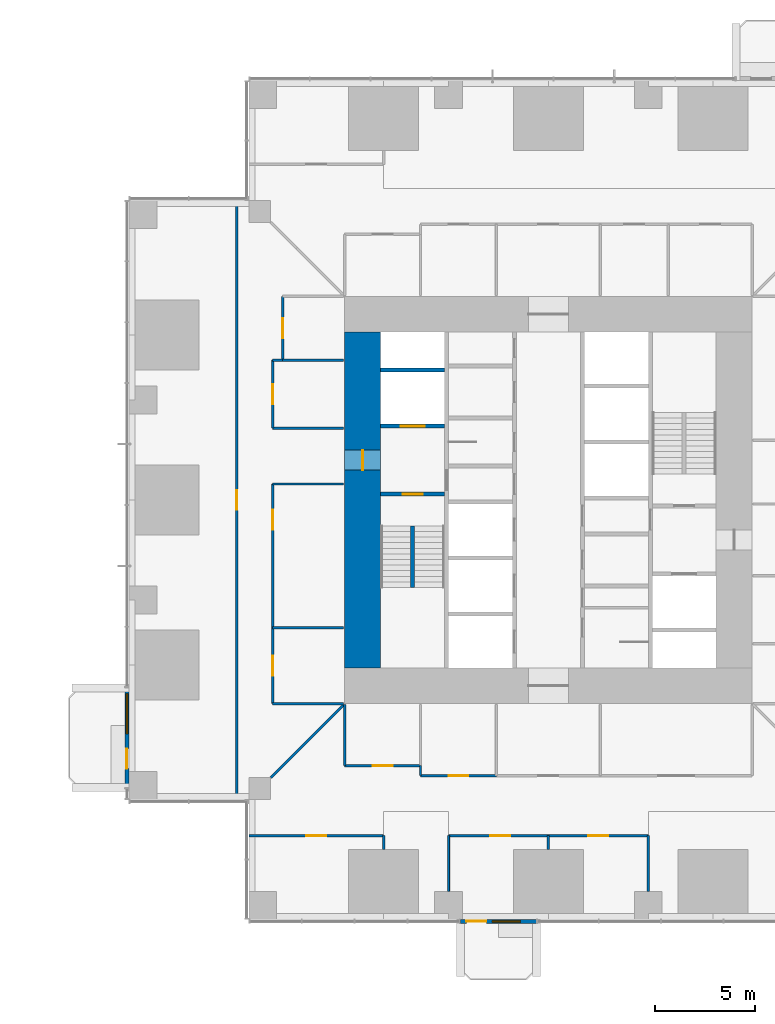
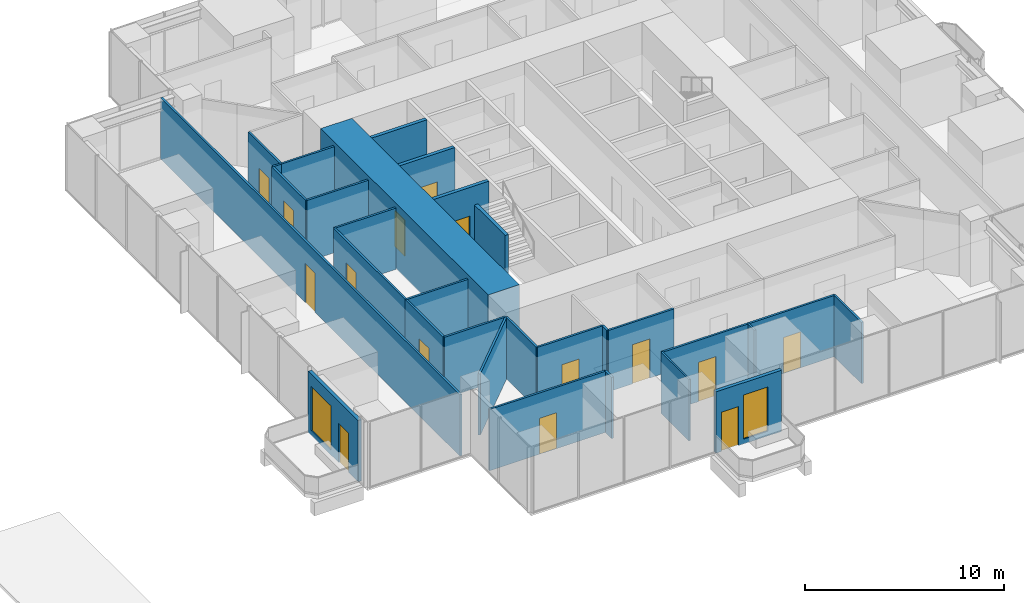
# One storey, part 10 of 16: 30 walls, 15 doors, 2 windows, 17 openings.
"""IFC4 building model written with IfcOpenShell, lengths in metres."""

from ifc_helpers import new_model, si_unit, direction, frame, frame_2d, origin, place, context, subcontext, project, spatial, rectangle, extrude, material, layer, layer_set, type_object, element, fill, save


model = new_model("IFC4")

# Units and contexts
model_context = context("Model", 3, precision=1e-05, world=origin(), true_north=direction((0.0, 1.0)))
body_context = subcontext(model_context, "Body", "Model", "MODEL_VIEW")
ifc_project = project(units=[si_unit("LENGTHUNIT", "METRE"), si_unit("AREAUNIT", "SQUARE_METRE"), si_unit("VOLUMEUNIT", "CUBIC_METRE"), si_unit("PLANEANGLEUNIT", "RADIAN"), si_unit("MASSUNIT", "GRAM", prefix="KILO")], contexts=[model_context])

# Site, building, storey
site_placement = place(None, origin())
site = spatial("IfcSite", under=ifc_project, at=site_placement, CompositionType="ELEMENT")
building_placement = place(site_placement, origin())
building = spatial("IfcBuilding", under=site, at=building_placement, Name="Svetlomir Tower", CompositionType="ELEMENT")
storey_placement = place(building_placement, frame((0.0, 0.0, 22.5)))
storey = spatial("IfcBuildingStorey", under=building, at=storey_placement, Name="L04", CompositionType="ELEMENT", Elevation=22.5)

# Wall, openings, door, window
ifc_material_1 = material(Name="Bronze anodised aluminium glazed screen", Category="aluminium")
ifc_layer_1 = layer(ifc_material_1, 0.199951171875)
ifc_layer_set_1 = layer_set([ifc_layer_1], Name="Bronze anodised aluminium glazed screen")
wall_type_1 = type_object("IfcWallType", Name="BALCONY SCREEN WALL 200", PredefinedType="USERDEFINED", material=ifc_layer_set_1)
wall_1_placement = place(storey_placement, frame((16.60009765625, -0.10009765625, 0.0), z_axis=(0.0, 0.0, 1.0), x_axis=(1.0, 0.0, 0.0)))
wall_1 = element("IfcWall", 1, at=wall_1_placement, inside=storey, type_object=wall_type_1, Name="Balcony screen S", ObjectType="GLAZED SCREEN", PredefinedType="USERDEFINED", context=body_context, shape_type="SweptSolid", body=[
    extrude(rectangle(XDim=3.7998046875, YDim=0.199951171875, at=frame_2d((1.89990234375, 0.0))), origin(), (0.0, 0.0, 1.0), 3.75),
])
opening_1_placement = place(wall_1_placement, frame((0.300048828125, 0.0, 0.0)))
opening_1 = element("IfcOpeningElement", 2, at=opening_1_placement, cuts=wall_1, Name="Opening BD", PredefinedType="OPENING", context=body_context, shape_type="SweptSolid", body=[
    extrude(rectangle(XDim=1.0, YDim=2.39990234375, at=frame_2d((0.5, 1.199951171875))), frame((0.0, 0.10986328125, 0.0), z_axis=(0.0, -1.0, 0.0), x_axis=(1.0, 0.0, 0.0)), (0.0, 0.0, 1.0), 0.219970703125),
])
opening_2_placement = place(wall_1_placement, frame((1.60009765625, 0.0, 0.300048828125)))
opening_2 = element("IfcOpeningElement", 3, at=opening_2_placement, cuts=wall_1, Name="Opening WS2", PredefinedType="OPENING", context=body_context, shape_type="SweptSolid", body=[
    extrude(rectangle(XDim=1.39990234375, YDim=2.699951171875, at=frame_2d((0.699951171875, 1.35009765625))), frame((0.0, 0.10986328125, 0.0), z_axis=(0.0, -1.0, 0.0), x_axis=(1.0, 0.0, 0.0)), (0.0, 0.0, 1.0), 0.219970703125),
])
ifc_material_2 = material(Name="Bronze anodised aluminium glazed door", Category="aluminium")
door_type_1 = type_object("IfcDoorType", Name="BALCONY DOOR BD 1000x2400", OperationType="SINGLE_SWING_LEFT", PredefinedType="DOOR", material=ifc_material_2)
door_1_placement = place(opening_1_placement, origin())
door_1 = element("IfcDoor", 4, at=door_1_placement, inside=storey, type_object=door_type_1, Name="Balcony screen S door", OperationType="SINGLE_SWING_LEFT", OverallHeight=2.39990234375, OverallWidth=1.0, PredefinedType="DOOR", context=body_context, shape_type="SweptSolid", body=[
    extrude(rectangle(XDim=1.0, YDim=2.39990234375, at=frame_2d((0.5, 1.199951171875))), frame((0.0, 0.02490234375, 0.0), z_axis=(0.0, -1.0, 0.0), x_axis=(1.0, 0.0, 0.0)), (0.0, 0.0, 1.0), 0.050048828125),
])
fill(opening_1, door_1)
ifc_material_3 = material(Name="Bronze anodised aluminium window", Category="aluminium")
window_type_1 = type_object("IfcWindowType", Name="SCREEN WINDOW WS2 1400x2700", PartitioningType="SINGLE_PANEL", PredefinedType="WINDOW", material=ifc_material_3)
window_1_placement = place(opening_2_placement, origin())
window_1 = element("IfcWindow", 5, at=window_1_placement, inside=storey, type_object=window_type_1, Name="Balcony screen S window 1", OverallHeight=2.699951171875, OverallWidth=1.39990234375, PartitioningType="SINGLE_PANEL", PredefinedType="WINDOW", context=body_context, shape_type="SweptSolid", body=[
    extrude(rectangle(XDim=1.39990234375, YDim=2.699951171875, at=frame_2d((0.699951171875, 1.35009765625))), frame((0.0, 0.030029296875, 0.0), z_axis=(0.0, -1.0, 0.0), x_axis=(1.0, 0.0, 0.0)), (0.0, 0.0, 1.0), 0.06005859375),
])
fill(opening_2, window_1)

wall_2_placement = place(storey_placement, frame((-0.10009765625, 11.60009765625, 0.0), z_axis=(0.0, 0.0, 1.0), x_axis=(0.0, -1.0, 0.0)))
wall_2 = element("IfcWall", 6, at=wall_2_placement, inside=storey, type_object=wall_type_1, Name="Balcony screen W", ObjectType="GLAZED SCREEN", PredefinedType="USERDEFINED", context=body_context, shape_type="SweptSolid", body=[
    extrude(rectangle(XDim=5.0, YDim=0.199951171875, at=frame_2d((2.5, 0.0))), origin(), (0.0, 0.0, 1.0), 3.75),
])
opening_3_placement = place(wall_2_placement, frame((3.050048828125, 0.0, 0.0)))
opening_3 = element("IfcOpeningElement", 7, at=opening_3_placement, cuts=wall_2, Name="Opening BD", PredefinedType="OPENING", context=body_context, shape_type="SweptSolid", body=[
    extrude(rectangle(XDim=1.0, YDim=2.39990234375, at=frame_2d((0.5, 1.199951171875))), frame((0.0, 0.10986328125, 0.0), z_axis=(0.0, -1.0, 0.0), x_axis=(1.0, 0.0, 0.0)), (0.0, 0.0, 1.0), 0.219970703125),
])
opening_4_placement = place(wall_2_placement, frame((0.300048828125, 0.0, 0.300048828125)))
opening_4 = element("IfcOpeningElement", 8, at=opening_4_placement, cuts=wall_2, Name="Opening WS", PredefinedType="OPENING", context=body_context, shape_type="SweptSolid", body=[
    extrude(rectangle(XDim=2.0, YDim=2.699951171875, at=frame_2d((1.0, 1.35009765625))), frame((0.0, 0.10986328125, 0.0), z_axis=(0.0, -1.0, 0.0), x_axis=(1.0, 0.0, 0.0)), (0.0, 0.0, 1.0), 0.219970703125),
])
door_2_placement = place(opening_3_placement, origin())
door_2 = element("IfcDoor", 9, at=door_2_placement, inside=storey, type_object=door_type_1, Name="Balcony screen W door", OperationType="SINGLE_SWING_LEFT", OverallHeight=2.39990234375, OverallWidth=1.0, PredefinedType="DOOR", context=body_context, shape_type="SweptSolid", body=[
    extrude(rectangle(XDim=1.0, YDim=2.39990234375, at=frame_2d((0.5, 1.199951171875))), frame((0.0, 0.02490234375, 0.0), z_axis=(0.0, -1.0, 0.0), x_axis=(1.0, 0.0, 0.0)), (0.0, 0.0, 1.0), 0.050048828125),
])
fill(opening_3, door_2)
ifc_material_4 = material(Name="Bronze anodised aluminium window", Category="aluminium")
window_type_2 = type_object("IfcWindowType", Name="SCREEN WINDOW WS 2000x2700", PartitioningType="SINGLE_PANEL", PredefinedType="WINDOW", material=ifc_material_4)
window_2_placement = place(opening_4_placement, origin())
window_2 = element("IfcWindow", 10, at=window_2_placement, inside=storey, type_object=window_type_2, Name="Balcony screen W window 1", OverallHeight=2.699951171875, OverallWidth=2.0, PartitioningType="SINGLE_PANEL", PredefinedType="WINDOW", context=body_context, shape_type="SweptSolid", body=[
    extrude(rectangle(XDim=2.0, YDim=2.699951171875, at=frame_2d((1.0, 1.35009765625))), frame((0.0, 0.030029296875, 0.0), z_axis=(0.0, -1.0, 0.0), x_axis=(1.0, 0.0, 0.0)), (0.0, 0.0, 1.0), 0.06005859375),
])
fill(opening_4, window_2)

# Wall, opening, door
ifc_material_5 = material(Name="Concrete C60/75", Category="concrete")
ifc_layer_2 = layer(ifc_material_5, 0.199951171875)
ifc_layer_set_2 = layer_set([ifc_layer_2], Name="Concrete C60/75")
wall_type_2 = type_object("IfcWallType", Name="CORE INNER WALL 200", PredefinedType="SHEAR", material=ifc_layer_set_2)
wall_3_placement = place(storey_placement, frame((12.60009765625, 21.300048828125, -0.050048828125), z_axis=(0.0, 0.0, 1.0), x_axis=(1.0, 0.0, 0.0)))
wall_3 = element("IfcWall", 11, at=wall_3_placement, inside=storey, type_object=wall_type_2, Name="Core inner wall 12.6-15.8/21.3 L04", PredefinedType="SHEAR", context=body_context, shape_type="SweptSolid", body=[
    extrude(rectangle(XDim=3.199951171875, YDim=0.199951171875, at=frame_2d((1.60009765625, 0.0))), origin(), (0.0, 0.0, 1.0), 4.0),
])
opening_5_placement = place(wall_3_placement, frame((1.10009765625, 0.0, 0.050048828125)))
opening_5 = element("IfcOpeningElement", 12, at=opening_5_placement, cuts=wall_3, Name="Opening DF", PredefinedType="OPENING", context=body_context, shape_type="SweptSolid", body=[
    extrude(rectangle(XDim=1.0, YDim=2.199951171875, at=frame_2d((0.5, 1.10009765625))), frame((0.0, 0.10986328125, 0.0), z_axis=(0.0, -1.0, 0.0), x_axis=(1.0, 0.0, 0.0)), (0.0, 0.0, 1.0), 0.219970703125),
])
ifc_material_6 = material(Name="Steel fire door", Category="steel")
door_type_2 = type_object("IfcDoorType", Name="DOOR DF 1000x2200", OperationType="SINGLE_SWING_LEFT", PredefinedType="DOOR", material=ifc_material_6)
door_3_placement = place(opening_5_placement, origin())
door_3 = element("IfcDoor", 13, at=door_3_placement, inside=storey, type_object=door_type_2, Name="Stair S1 door L04", OperationType="SINGLE_SWING_RIGHT", OverallHeight=2.199951171875, OverallWidth=1.0, PredefinedType="DOOR", context=body_context, shape_type="SweptSolid", body=[
    extrude(rectangle(XDim=1.0, YDim=2.199951171875, at=frame_2d((0.5, 1.10009765625))), frame((0.0, 0.02490234375, 0.0), z_axis=(0.0, -1.0, 0.0), x_axis=(1.0, 0.0, 0.0)), (0.0, 0.0, 1.0), 0.050048828125),
])
fill(opening_5, door_3)

wall_4_placement = place(storey_placement, frame((12.60009765625, 24.699951171875, -0.050048828125), z_axis=(0.0, 0.0, 1.0), x_axis=(1.0, 0.0, 0.0)))
wall_4 = element("IfcWall", 14, at=wall_4_placement, inside=storey, type_object=wall_type_2, Name="Core inner wall 12.6-15.8/24.7 L04", PredefinedType="SHEAR", context=body_context, shape_type="SweptSolid", body=[
    extrude(rectangle(XDim=3.199951171875, YDim=0.199951171875, at=frame_2d((1.60009765625, 0.0))), origin(), (0.0, 0.0, 1.0), 4.0),
])
opening_6_placement = place(wall_4_placement, frame((1.0, 0.0, 0.050048828125)))
opening_6 = element("IfcOpeningElement", 15, at=opening_6_placement, cuts=wall_4, Name="Opening LD3", PredefinedType="OPENING", context=body_context, shape_type="SweptSolid", body=[
    extrude(rectangle(XDim=1.199951171875, YDim=2.199951171875, at=frame_2d((0.60009765625, 1.10009765625))), frame((0.0, 0.10986328125, 0.0), z_axis=(0.0, -1.0, 0.0), x_axis=(1.0, 0.0, 0.0)), (0.0, 0.0, 1.0), 0.219970703125),
])
ifc_material_7 = material(Name="Stainless steel fire-rated landing door", Category="steel")
door_type_3 = type_object("IfcDoorType", Name="FIREFIGHTING LIFT LANDING DOOR LD3 1200x2200", OperationType="DOUBLE_DOOR_SLIDING", PredefinedType="DOOR", material=ifc_material_7)
door_4_placement = place(opening_6_placement, origin())
door_4 = element("IfcDoor", 16, at=door_4_placement, inside=storey, type_object=door_type_3, Name="Landing door lift FL1 L04", OperationType="DOUBLE_DOOR_SLIDING", OverallHeight=2.199951171875, OverallWidth=1.199951171875, PredefinedType="DOOR", context=body_context, shape_type="SweptSolid", body=[
    extrude(rectangle(XDim=1.199951171875, YDim=2.199951171875, at=frame_2d((0.60009765625, 1.10009765625))), frame((0.0, 0.02490234375, 0.0), z_axis=(0.0, -1.0, 0.0), x_axis=(1.0, 0.0, 0.0)), (0.0, 0.0, 1.0), 0.050048828125),
])
fill(opening_6, door_4)

# Wall
wall_5_placement = place(storey_placement, frame((12.60009765625, 27.5, -0.050048828125), z_axis=(0.0, 0.0, 1.0), x_axis=(1.0, 0.0, 0.0)))
element("IfcWall", 17, at=wall_5_placement, inside=storey, type_object=wall_type_2, Name="Core inner wall 12.6-15.8/27.5 L04", PredefinedType="SHEAR", context=body_context, shape_type="SweptSolid", body=[
    extrude(rectangle(XDim=3.199951171875, YDim=0.199951171875, at=frame_2d((1.60009765625, 0.0))), origin(), (0.0, 0.0, 1.0), 4.0),
])

# Wall, opening, door
ifc_material_8 = material(Name="Concrete C60/75", Category="concrete")
ifc_layer_3 = layer(ifc_material_8, 1.800048828125)
ifc_layer_set_3 = layer_set([ifc_layer_3], Name="Concrete C60/75")
wall_type_3 = type_object("IfcWallType", Name="CORE WALL 1800", PredefinedType="SHEAR", material=ifc_layer_set_3)
wall_6_placement = place(storey_placement, frame((11.699951171875, 12.60009765625, -0.050048828125), z_axis=(0.0, 0.0, 1.0), x_axis=(0.0, 1.0, 0.0)))
wall_6 = element("IfcWall", 18, at=wall_6_placement, inside=storey, type_object=wall_type_3, Name="Core wall west L04", PredefinedType="SHEAR", context=body_context, shape_type="SweptSolid", body=[
    extrude(rectangle(XDim=16.7998046875, YDim=1.800048828125, at=frame_2d((8.39990234375, 0.0))), origin(), (0.0, 0.0, 1.0), 4.0),
])
opening_7_placement = place(wall_6_placement, frame((9.89990234375, 0.0, 0.050048828125)))
opening_7 = element("IfcOpeningElement", 19, at=opening_7_placement, cuts=wall_6, Name="Opening DF", PredefinedType="OPENING", context=body_context, shape_type="SweptSolid", body=[
    extrude(rectangle(XDim=1.0, YDim=2.199951171875, at=frame_2d((0.5, 1.10009765625))), frame((0.0, 0.91015625, 0.0), z_axis=(0.0, -1.0, 0.0), x_axis=(1.0, 0.0, 0.0)), (0.0, 0.0, 1.0), 1.820068359375),
])
door_5_placement = place(opening_7_placement, origin())
door_5 = element("IfcDoor", 20, at=door_5_placement, inside=storey, type_object=door_type_2, Name="Firefighting lobby west door L04", OperationType="SINGLE_SWING_RIGHT", OverallHeight=2.199951171875, OverallWidth=1.0, PredefinedType="DOOR", context=body_context, shape_type="SweptSolid", body=[
    extrude(rectangle(XDim=1.0, YDim=2.199951171875, at=frame_2d((0.5, 1.10009765625))), frame((0.0, 0.02490234375, 0.0), z_axis=(0.0, -1.0, 0.0), x_axis=(1.0, 0.0, 0.0)), (0.0, 0.0, 1.0), 0.050048828125),
])
fill(opening_7, door_5)

# Wall
ifc_material_9 = material(Name="Framed laminated glass partition", Category="glass")
ifc_layer_4 = layer(ifc_material_9, 0.10009765625)
ifc_layer_set_4 = layer_set([ifc_layer_4], Name="Framed laminated glass partition")
wall_type_4 = type_object("IfcWallType", Name="GLAZED PARTITION 100", PredefinedType="PARTITIONING", material=ifc_layer_set_4)
wall_7_placement = place(storey_placement, frame((16.0, 1.409912109375, 0.0), z_axis=(0.0, 0.0, 1.0), x_axis=(0.0, 1.0, 0.0)))
element("IfcWall", 21, at=wall_7_placement, inside=storey, type_object=wall_type_4, Name="Glazed partition L04", PredefinedType="PARTITIONING", context=body_context, shape_type="SweptSolid", body=[
    extrude(rectangle(XDim=2.7900390625, YDim=0.10009765625, at=frame_2d((1.39501953125, 0.0))), origin(), (0.0, 0.0, 1.0), 3.75),
])

# Wall, opening, door
ifc_material_10 = material(Name="Gypsum board on steel studs", Category="steel")
ifc_layer_5 = layer(ifc_material_10, 0.1201171875)
ifc_layer_set_5 = layer_set([ifc_layer_5], Name="Gypsum board on steel studs")
wall_type_5 = type_object("IfcWallType", Name="PARTITION 120", PredefinedType="PARTITIONING", material=ifc_layer_set_5)
wall_8_placement = place(storey_placement, frame((5.39990234375, 6.0, 0.0), z_axis=(0.0, 0.0, 1.0), x_axis=(0.0, 1.0, 0.0)))
wall_8 = element("IfcWall", 22, at=wall_8_placement, inside=storey, type_object=wall_type_5, Name="Partition L04", PredefinedType="PARTITIONING", context=body_context, shape_type="SweptSolid", body=[
    extrude(rectangle(XDim=30.0, YDim=0.1201171875, at=frame_2d((15.0, 0.0))), origin(), (0.0, 0.0, 1.0), 3.75),
])
opening_8_placement = place(wall_8_placement, frame((14.5, 0.0, 0.0)))
opening_8 = element("IfcOpeningElement", 23, at=opening_8_placement, cuts=wall_8, Name="Opening DG", PredefinedType="OPENING", context=body_context, shape_type="SweptSolid", body=[
    extrude(rectangle(XDim=1.0, YDim=2.39990234375, at=frame_2d((0.5, 1.199951171875))), frame((0.0, 0.070068359375, 0.0), z_axis=(0.0, -1.0, 0.0), x_axis=(1.0, 0.0, 0.0)), (0.0, 0.0, 1.0), 0.14013671875),
])
ifc_material_11 = material(Name="Framed laminated glass door", Category="glass")
door_type_4 = type_object("IfcDoorType", Name="GLAZED DOOR DG 1000x2400", OperationType="SINGLE_SWING_LEFT", PredefinedType="DOOR", material=ifc_material_11)
door_6_placement = place(opening_8_placement, origin())
door_6 = element("IfcDoor", 24, at=door_6_placement, inside=storey, type_object=door_type_4, Name="Ring corridor 3 door 1 L04", OperationType="SINGLE_SWING_RIGHT", OverallHeight=2.39990234375, OverallWidth=1.0, PredefinedType="DOOR", context=body_context, shape_type="SweptSolid", body=[
    extrude(rectangle(XDim=1.0, YDim=2.39990234375, at=frame_2d((0.5, 1.199951171875))), frame((0.0, 0.02490234375, 0.0), z_axis=(0.0, -1.0, 0.0), x_axis=(1.0, 0.0, 0.0)), (0.0, 0.0, 1.0), 0.050048828125),
])
fill(opening_8, door_6)

wall_9_placement = place(storey_placement, frame((6.0, 4.199951171875, 0.0), z_axis=(0.0, 0.0, 1.0), x_axis=(1.0, 0.0, 0.0)))
wall_9 = element("IfcWall", 25, at=wall_9_placement, inside=storey, type_object=wall_type_5, Name="Partition L04", PredefinedType="PARTITIONING", context=body_context, shape_type="SweptSolid", body=[
    extrude(rectangle(XDim=6.75, YDim=0.1201171875, at=frame_2d((3.375, 0.0))), origin(), (0.0, 0.0, 1.0), 3.75),
])
opening_9_placement = place(wall_9_placement, frame((2.875, 0.0, 0.0)))
opening_9 = element("IfcOpeningElement", 26, at=opening_9_placement, cuts=wall_9, Name="Opening DR", PredefinedType="OPENING", context=body_context, shape_type="SweptSolid", body=[
    extrude(rectangle(XDim=1.0, YDim=2.199951171875, at=frame_2d((0.5, 1.10009765625))), frame((0.0, 0.070068359375, 0.0), z_axis=(0.0, -1.0, 0.0), x_axis=(1.0, 0.0, 0.0)), (0.0, 0.0, 1.0), 0.14013671875),
])
ifc_material_12 = material(Name="Timber door, glazed side light", Category="wood")
door_type_5 = type_object("IfcDoorType", Name="DOOR DR 1000x2200", OperationType="SINGLE_SWING_LEFT", PredefinedType="DOOR", material=ifc_material_12)
door_7_placement = place(opening_9_placement, origin())
door_7 = element("IfcDoor", 27, at=door_7_placement, inside=storey, type_object=door_type_5, Name="Accounts receivable manager office door L04", OperationType="SINGLE_SWING_RIGHT", OverallHeight=2.199951171875, OverallWidth=1.0, PredefinedType="DOOR", context=body_context, shape_type="SweptSolid", body=[
    extrude(rectangle(XDim=1.0, YDim=2.199951171875, at=frame_2d((0.5, 1.10009765625))), frame((0.0, 0.02490234375, 0.0), z_axis=(0.0, -1.0, 0.0), x_axis=(1.0, 0.0, 0.0)), (0.0, 0.0, 1.0), 0.050048828125),
])
fill(opening_9, door_7)

# Wall
wall_10_placement = place(storey_placement, frame((7.110107421875, 7.110107421875, 0.0), z_axis=(0.0, 0.0, 1.0), x_axis=(0.707106781187, 0.707106781187, 0.0)))
element("IfcWall", 28, at=wall_10_placement, inside=storey, type_object=wall_type_5, Name="Partition L04", PredefinedType="PARTITIONING", context=body_context, shape_type="SweptSolid", body=[
    extrude(rectangle(XDim=5.168212890625, YDim=0.1201171875, at=frame_2d((2.583984375, 0.0))), origin(), (0.0, 0.0, 1.0), 3.75),
])

# Wall, opening, door
wall_11_placement = place(storey_placement, frame((7.199951171875, 10.800048828125, 0.0), z_axis=(0.0, 0.0, 1.0), x_axis=(0.0, 1.0, 0.0)))
wall_11 = element("IfcWall", 29, at=wall_11_placement, inside=storey, type_object=wall_type_5, Name="Partition L04", PredefinedType="PARTITIONING", context=body_context, shape_type="SweptSolid", body=[
    extrude(rectangle(XDim=3.800048828125, YDim=0.1201171875, at=frame_2d((1.89990234375, 0.0))), origin(), (0.0, 0.0, 1.0), 3.75),
])
opening_10_placement = place(wall_11_placement, frame((1.39990234375, 0.0, 0.0)))
opening_10 = element("IfcOpeningElement", 30, at=opening_10_placement, cuts=wall_11, Name="Opening DR", PredefinedType="OPENING", context=body_context, shape_type="SweptSolid", body=[
    extrude(rectangle(XDim=1.0, YDim=2.199951171875, at=frame_2d((0.5, 1.10009765625))), frame((0.0, 0.070068359375, 0.0), z_axis=(0.0, -1.0, 0.0), x_axis=(1.0, 0.0, 0.0)), (0.0, 0.0, 1.0), 0.14013671875),
])
door_8_placement = place(opening_10_placement, origin())
door_8 = element("IfcDoor", 31, at=door_8_placement, inside=storey, type_object=door_type_5, Name="Payroll office door L04", OperationType="SINGLE_SWING_RIGHT", OverallHeight=2.199951171875, OverallWidth=1.0, PredefinedType="DOOR", context=body_context, shape_type="SweptSolid", body=[
    extrude(rectangle(XDim=1.0, YDim=2.199951171875, at=frame_2d((0.5, 1.10009765625))), frame((0.0, 0.02490234375, 0.0), z_axis=(0.0, -1.0, 0.0), x_axis=(1.0, 0.0, 0.0)), (0.0, 0.0, 1.0), 0.050048828125),
])
fill(opening_10, door_8)

# Wall
wall_12_placement = place(storey_placement, frame((7.199951171875, 10.800048828125, 0.0), z_axis=(0.0, 0.0, 1.0), x_axis=(1.0, 0.0, 0.0)))
element("IfcWall", 32, at=wall_12_placement, inside=storey, type_object=wall_type_5, Name="Partition L04", PredefinedType="PARTITIONING", context=body_context, shape_type="SweptSolid", body=[
    extrude(rectangle(XDim=3.550048828125, YDim=0.1201171875, at=frame_2d((1.77490234375, 0.0))), origin(), (0.0, 0.0, 1.0), 3.75),
])

# Wall, opening, door
wall_13_placement = place(storey_placement, frame((7.199951171875, 14.60009765625, 0.0), z_axis=(0.0, 0.0, 1.0), x_axis=(0.0, 1.0, 0.0)))
wall_13 = element("IfcWall", 33, at=wall_13_placement, inside=storey, type_object=wall_type_5, Name="Partition L04", PredefinedType="PARTITIONING", context=body_context, shape_type="SweptSolid", body=[
    extrude(rectangle(XDim=7.199951171875, YDim=0.1201171875, at=frame_2d((3.60009765625, 0.0))), origin(), (0.0, 0.0, 1.0), 3.75),
])
opening_11_placement = place(wall_13_placement, frame((4.89990234375, 0.0, 0.0)))
opening_11 = element("IfcOpeningElement", 34, at=opening_11_placement, cuts=wall_13, Name="Opening DG", PredefinedType="OPENING", context=body_context, shape_type="SweptSolid", body=[
    extrude(rectangle(XDim=1.0, YDim=2.39990234375, at=frame_2d((0.5, 1.199951171875))), frame((0.0, 0.070068359375, 0.0), z_axis=(0.0, -1.0, 0.0), x_axis=(1.0, 0.0, 0.0)), (0.0, 0.0, 1.0), 0.14013671875),
])
door_9_placement = place(opening_11_placement, origin())
door_9 = element("IfcDoor", 35, at=door_9_placement, inside=storey, type_object=door_type_4, Name="Ring corridor 3 door 2 L04", OperationType="SINGLE_SWING_LEFT", OverallHeight=2.39990234375, OverallWidth=1.0, PredefinedType="DOOR", context=body_context, shape_type="SweptSolid", body=[
    extrude(rectangle(XDim=1.0, YDim=2.39990234375, at=frame_2d((0.5, 1.199951171875))), frame((0.0, 0.02490234375, 0.0), z_axis=(0.0, -1.0, 0.0), x_axis=(1.0, 0.0, 0.0)), (0.0, 0.0, 1.0), 0.050048828125),
])
fill(opening_11, door_9)

# Walls
for number, where, z_axis, x_axis, name in (
    (36, (7.199951171875, 14.60009765625, 0.0), (0.0, 0.0, 1.0), (1.0, 0.0, 0.0), "Partition L04"),
    (37, (7.199951171875, 21.800048828125, 0.0), (0.0, 0.0, 1.0), (1.0, 0.0, 0.0), "Partition L04"),
):
    element("IfcWall", number, at=place(storey_placement, frame(where, z_axis=z_axis, x_axis=x_axis)), inside=storey, type_object=wall_type_5, Name=name, PredefinedType="PARTITIONING", context=body_context, shape_type="SweptSolid", body=[
        extrude(rectangle(XDim=3.550048828125, YDim=0.1201171875, at=frame_2d((1.77490234375, 0.0))), origin(), (0.0, 0.0, 1.0), 3.75),
    ])

# Wall, opening, door
wall_14_placement = place(storey_placement, frame((7.199951171875, 24.60009765625, 0.0), z_axis=(0.0, 0.0, 1.0), x_axis=(0.0, 1.0, 0.0)))
wall_14 = element("IfcWall", 38, at=wall_14_placement, inside=storey, type_object=wall_type_5, Name="Partition L04", PredefinedType="PARTITIONING", context=body_context, shape_type="SweptSolid", body=[
    extrude(rectangle(XDim=3.39990234375, YDim=0.1201171875, at=frame_2d((1.699951171875, 0.0))), origin(), (0.0, 0.0, 1.0), 3.75),
])
opening_12_placement = place(wall_14_placement, frame((1.199951171875, 0.0, 0.0)))
opening_12 = element("IfcOpeningElement", 39, at=opening_12_placement, cuts=wall_14, Name="Opening DG", PredefinedType="OPENING", context=body_context, shape_type="SweptSolid", body=[
    extrude(rectangle(XDim=1.0, YDim=2.39990234375, at=frame_2d((0.5, 1.199951171875))), frame((0.0, 0.070068359375, 0.0), z_axis=(0.0, -1.0, 0.0), x_axis=(1.0, 0.0, 0.0)), (0.0, 0.0, 1.0), 0.14013671875),
])
door_10_placement = place(opening_12_placement, origin())
door_10 = element("IfcDoor", 40, at=door_10_placement, inside=storey, type_object=door_type_4, Name="Quiet room door L04", OperationType="SINGLE_SWING_LEFT", OverallHeight=2.39990234375, OverallWidth=1.0, PredefinedType="DOOR", context=body_context, shape_type="SweptSolid", body=[
    extrude(rectangle(XDim=1.0, YDim=2.39990234375, at=frame_2d((0.5, 1.199951171875))), frame((0.0, 0.02490234375, 0.0), z_axis=(0.0, -1.0, 0.0), x_axis=(1.0, 0.0, 0.0)), (0.0, 0.0, 1.0), 0.050048828125),
])
fill(opening_12, door_10)

# Walls
wall_15_placement = place(storey_placement, frame((7.199951171875, 24.60009765625, 0.0), z_axis=(0.0, 0.0, 1.0), x_axis=(1.0, 0.0, 0.0)))
element("IfcWall", 41, at=wall_15_placement, inside=storey, type_object=wall_type_5, Name="Partition L04", PredefinedType="PARTITIONING", context=body_context, shape_type="SweptSolid", body=[
    extrude(rectangle(XDim=3.550048828125, YDim=0.1201171875, at=frame_2d((1.77490234375, 0.0))), origin(), (0.0, 0.0, 1.0), 3.75),
])
wall_16_placement = place(storey_placement, frame((7.199951171875, 28.0, 0.0), z_axis=(0.0, 0.0, 1.0), x_axis=(1.0, 0.0, 0.0)))
element("IfcWall", 42, at=wall_16_placement, inside=storey, type_object=wall_type_5, Name="Partition L04", PredefinedType="PARTITIONING", context=body_context, shape_type="SweptSolid", body=[
    extrude(rectangle(XDim=0.5, YDim=0.1201171875, at=frame_2d((0.25, 0.0))), origin(), (0.0, 0.0, 1.0), 3.75),
])

# Wall, opening, door
wall_17_placement = place(storey_placement, frame((7.699951171875, 28.0, 0.0), z_axis=(0.0, 0.0, 1.0), x_axis=(0.0, 1.0, 0.0)))
wall_17 = element("IfcWall", 43, at=wall_17_placement, inside=storey, type_object=wall_type_5, Name="Partition L04", PredefinedType="PARTITIONING", context=body_context, shape_type="SweptSolid", body=[
    extrude(rectangle(XDim=3.199951171875, YDim=0.1201171875, at=frame_2d((1.60009765625, 0.0))), origin(), (0.0, 0.0, 1.0), 3.75),
])
opening_13_placement = place(wall_17_placement, frame((1.10009765625, 0.0, 0.0)))
opening_13 = element("IfcOpeningElement", 44, at=opening_13_placement, cuts=wall_17, Name="Opening DR", PredefinedType="OPENING", context=body_context, shape_type="SweptSolid", body=[
    extrude(rectangle(XDim=1.0, YDim=2.199951171875, at=frame_2d((0.5, 1.10009765625))), frame((0.0, 0.070068359375, 0.0), z_axis=(0.0, -1.0, 0.0), x_axis=(1.0, 0.0, 0.0)), (0.0, 0.0, 1.0), 0.14013671875),
])
door_11_placement = place(opening_13_placement, origin())
door_11 = element("IfcDoor", 45, at=door_11_placement, inside=storey, type_object=door_type_5, Name="Stationery store door L04", OperationType="SINGLE_SWING_RIGHT", OverallHeight=2.199951171875, OverallWidth=1.0, PredefinedType="DOOR", context=body_context, shape_type="SweptSolid", body=[
    extrude(rectangle(XDim=1.0, YDim=2.199951171875, at=frame_2d((0.5, 1.10009765625))), frame((0.0, 0.02490234375, 0.0), z_axis=(0.0, -1.0, 0.0), x_axis=(1.0, 0.0, 0.0)), (0.0, 0.0, 1.0), 0.050048828125),
])
fill(opening_13, door_11)

# Walls
for number, where, z_axis, x_axis, name in (
    (46, (7.699951171875, 28.0, 0.0), (0.0, 0.0, 1.0), (1.0, 0.0, 0.0), "Partition L04"),
    (47, (10.800048828125, 7.699951171875, 0.0), (0.0, 0.0, 1.0), (0.0, 1.0, 0.0), "Partition L04"),
):
    element("IfcWall", number, at=place(storey_placement, frame(where, z_axis=z_axis, x_axis=x_axis)), inside=storey, type_object=wall_type_5, Name=name, PredefinedType="PARTITIONING", context=body_context, shape_type="SweptSolid", body=[
        extrude(rectangle(XDim=3.050048828125, YDim=0.1201171875, at=frame_2d((1.52490234375, 0.0))), origin(), (0.0, 0.0, 1.0), 3.75),
    ])

# Wall, opening, door
wall_18_placement = place(storey_placement, frame((10.800048828125, 7.699951171875, 0.0), z_axis=(0.0, 0.0, 1.0), x_axis=(1.0, 0.0, 0.0)))
wall_18 = element("IfcWall", 48, at=wall_18_placement, inside=storey, type_object=wall_type_5, Name="Partition L04", PredefinedType="PARTITIONING", context=body_context, shape_type="SweptSolid", body=[
    extrude(rectangle(XDim=3.800048828125, YDim=0.1201171875, at=frame_2d((1.89990234375, 0.0))), origin(), (0.0, 0.0, 1.0), 3.75),
])
opening_14_placement = place(wall_18_placement, frame((1.39990234375, 0.0, 0.0)))
opening_14 = element("IfcOpeningElement", 49, at=opening_14_placement, cuts=wall_18, Name="Opening DR", PredefinedType="OPENING", context=body_context, shape_type="SweptSolid", body=[
    extrude(rectangle(XDim=1.0, YDim=2.199951171875, at=frame_2d((0.5, 1.10009765625))), frame((0.0, 0.070068359375, 0.0), z_axis=(0.0, -1.0, 0.0), x_axis=(1.0, 0.0, 0.0)), (0.0, 0.0, 1.0), 0.14013671875),
])
door_12_placement = place(opening_14_placement, origin())
door_12 = element("IfcDoor", 50, at=door_12_placement, inside=storey, type_object=door_type_5, Name="Finance records room door L04", OperationType="SINGLE_SWING_LEFT", OverallHeight=2.199951171875, OverallWidth=1.0, PredefinedType="DOOR", context=body_context, shape_type="SweptSolid", body=[
    extrude(rectangle(XDim=1.0, YDim=2.199951171875, at=frame_2d((0.5, 1.10009765625))), frame((0.0, 0.02490234375, 0.0), z_axis=(0.0, -1.0, 0.0), x_axis=(1.0, 0.0, 0.0)), (0.0, 0.0, 1.0), 0.050048828125),
])
fill(opening_14, door_12)

# Walls
wall_19_placement = place(storey_placement, frame((12.75, 3.510009765625, 0.0), z_axis=(0.0, 0.0, 1.0), x_axis=(0.0, 1.0, 0.0)))
element("IfcWall", 51, at=wall_19_placement, inside=storey, type_object=wall_type_5, Name="Partition L04", PredefinedType="PARTITIONING", context=body_context, shape_type="SweptSolid", body=[
    extrude(rectangle(XDim=0.68994140625, YDim=0.1201171875, at=frame_2d((0.344970703125, 0.0))), origin(), (0.0, 0.0, 1.0), 3.75),
])
wall_20_placement = place(storey_placement, frame((14.60009765625, 7.199951171875, 0.0), z_axis=(0.0, 0.0, 1.0), x_axis=(0.0, 1.0, 0.0)))
element("IfcWall", 52, at=wall_20_placement, inside=storey, type_object=wall_type_5, Name="Partition L04", PredefinedType="PARTITIONING", context=body_context, shape_type="SweptSolid", body=[
    extrude(rectangle(XDim=0.5, YDim=0.1201171875, at=frame_2d((0.25, 0.0))), origin(), (0.0, 0.0, 1.0), 3.75),
])

# Wall, opening, door
wall_21_placement = place(storey_placement, frame((14.60009765625, 7.199951171875, 0.0), z_axis=(0.0, 0.0, 1.0), x_axis=(1.0, 0.0, 0.0)))
wall_21 = element("IfcWall", 53, at=wall_21_placement, inside=storey, type_object=wall_type_5, Name="Partition L04", PredefinedType="PARTITIONING", context=body_context, shape_type="SweptSolid", body=[
    extrude(rectangle(XDim=3.7998046875, YDim=0.1201171875, at=frame_2d((1.89990234375, 0.0))), origin(), (0.0, 0.0, 1.0), 3.75),
])
opening_15_placement = place(wall_21_placement, frame((1.39990234375, 0.0, 0.0)))
opening_15 = element("IfcOpeningElement", 54, at=opening_15_placement, cuts=wall_21, Name="Opening DG", PredefinedType="OPENING", context=body_context, shape_type="SweptSolid", body=[
    extrude(rectangle(XDim=1.0, YDim=2.39990234375, at=frame_2d((0.5, 1.199951171875))), frame((0.0, 0.070068359375, 0.0), z_axis=(0.0, -1.0, 0.0), x_axis=(1.0, 0.0, 0.0)), (0.0, 0.0, 1.0), 0.14013671875),
])
door_13_placement = place(opening_15_placement, origin())
door_13 = element("IfcDoor", 55, at=door_13_placement, inside=storey, type_object=door_type_4, Name="Meeting room, 6 seats door L04", OperationType="SINGLE_SWING_RIGHT", OverallHeight=2.39990234375, OverallWidth=1.0, PredefinedType="DOOR", context=body_context, shape_type="SweptSolid", body=[
    extrude(rectangle(XDim=1.0, YDim=2.39990234375, at=frame_2d((0.5, 1.199951171875))), frame((0.0, 0.02490234375, 0.0), z_axis=(0.0, -1.0, 0.0), x_axis=(1.0, 0.0, 0.0)), (0.0, 0.0, 1.0), 0.050048828125),
])
fill(opening_15, door_13)

wall_22_placement = place(storey_placement, frame((16.0, 4.199951171875, 0.0), z_axis=(0.0, 0.0, 1.0), x_axis=(1.0, 0.0, 0.0)))
wall_22 = element("IfcWall", 56, at=wall_22_placement, inside=storey, type_object=wall_type_5, Name="Partition L04", PredefinedType="PARTITIONING", context=body_context, shape_type="SweptSolid", body=[
    extrude(rectangle(XDim=5.0, YDim=0.1201171875, at=frame_2d((2.5, 0.0))), origin(), (0.0, 0.0, 1.0), 3.75),
])
opening_16_placement = place(wall_22_placement, frame((2.10009765625, 0.0, 0.0)))
opening_16 = element("IfcOpeningElement", 57, at=opening_16_placement, cuts=wall_22, Name="Opening DG", PredefinedType="OPENING", context=body_context, shape_type="SweptSolid", body=[
    extrude(rectangle(XDim=1.0, YDim=2.39990234375, at=frame_2d((0.5, 1.199951171875))), frame((0.0, 0.070068359375, 0.0), z_axis=(0.0, -1.0, 0.0), x_axis=(1.0, 0.0, 0.0)), (0.0, 0.0, 1.0), 0.14013671875),
])
door_14_placement = place(opening_16_placement, origin())
door_14 = element("IfcDoor", 58, at=door_14_placement, inside=storey, type_object=door_type_4, Name="Break-out and kitchenette door L04", OperationType="SINGLE_SWING_RIGHT", OverallHeight=2.39990234375, OverallWidth=1.0, PredefinedType="DOOR", context=body_context, shape_type="SweptSolid", body=[
    extrude(rectangle(XDim=1.0, YDim=2.39990234375, at=frame_2d((0.5, 1.199951171875))), frame((0.0, 0.02490234375, 0.0), z_axis=(0.0, -1.0, 0.0), x_axis=(1.0, 0.0, 0.0)), (0.0, 0.0, 1.0), 0.050048828125),
])
fill(opening_16, door_14)

# Wall
wall_23_placement = place(storey_placement, frame((21.0, 3.510009765625, 0.0), z_axis=(0.0, 0.0, 1.0), x_axis=(0.0, 1.0, 0.0)))
element("IfcWall", 59, at=wall_23_placement, inside=storey, type_object=wall_type_5, Name="Partition L04", PredefinedType="PARTITIONING", context=body_context, shape_type="SweptSolid", body=[
    extrude(rectangle(XDim=0.68994140625, YDim=0.1201171875, at=frame_2d((0.344970703125, 0.0))), origin(), (0.0, 0.0, 1.0), 3.75),
])

# Wall, opening, door
wall_24_placement = place(storey_placement, frame((21.0, 4.199951171875, 0.0), z_axis=(0.0, 0.0, 1.0), x_axis=(1.0, 0.0, 0.0)))
wall_24 = element("IfcWall", 60, at=wall_24_placement, inside=storey, type_object=wall_type_5, Name="Partition L04", PredefinedType="PARTITIONING", context=body_context, shape_type="SweptSolid", body=[
    extrude(rectangle(XDim=5.0, YDim=0.1201171875, at=frame_2d((2.5, 0.0))), origin(), (0.0, 0.0, 1.0), 3.75),
])
opening_17_placement = place(wall_24_placement, frame((2.0, 0.0, 0.0)))
opening_17 = element("IfcOpeningElement", 61, at=opening_17_placement, cuts=wall_24, Name="Opening DR", PredefinedType="OPENING", context=body_context, shape_type="SweptSolid", body=[
    extrude(rectangle(XDim=1.0, YDim=2.199951171875, at=frame_2d((0.5, 1.10009765625))), frame((0.0, 0.070068359375, 0.0), z_axis=(0.0, -1.0, 0.0), x_axis=(1.0, 0.0, 0.0)), (0.0, 0.0, 1.0), 0.14013671875),
])
door_15_placement = place(opening_17_placement, origin())
door_15 = element("IfcDoor", 62, at=door_15_placement, inside=storey, type_object=door_type_5, Name="Finance controller office door L04", OperationType="SINGLE_SWING_LEFT", OverallHeight=2.199951171875, OverallWidth=1.0, PredefinedType="DOOR", context=body_context, shape_type="SweptSolid", body=[
    extrude(rectangle(XDim=1.0, YDim=2.199951171875, at=frame_2d((0.5, 1.10009765625))), frame((0.0, 0.02490234375, 0.0), z_axis=(0.0, -1.0, 0.0), x_axis=(1.0, 0.0, 0.0)), (0.0, 0.0, 1.0), 0.050048828125),
])
fill(opening_17, door_15)

# Walls
wall_25_placement = place(storey_placement, frame((26.0, 1.409912109375, 0.0), z_axis=(0.0, 0.0, 1.0), x_axis=(0.0, 1.0, 0.0)))
element("IfcWall", 63, at=wall_25_placement, inside=storey, type_object=wall_type_5, Name="Partition L04", PredefinedType="PARTITIONING", context=body_context, shape_type="SweptSolid", body=[
    extrude(rectangle(XDim=2.7900390625, YDim=0.1201171875, at=frame_2d((1.39501953125, 0.0))), origin(), (0.0, 0.0, 1.0), 3.75),
])
ifc_material_13 = material(Name="Concrete C60/75", Category="concrete")
ifc_layer_6 = layer(ifc_material_13, 0.199951171875)
ifc_layer_set_6 = layer_set([ifc_layer_6], Name="Concrete C60/75")
wall_type_6 = type_object("IfcWallType", Name="STAIR SPINE WALL 200", PredefinedType="PARTITIONING", material=ifc_layer_set_6)
wall_26_placement = place(storey_placement, frame((14.199951171875, 16.6201171875, 0.0), z_axis=(0.0, 0.0, 1.0), x_axis=(0.0, 1.0, 0.0)))
element("IfcWall", 64, at=wall_26_placement, inside=storey, type_object=wall_type_6, Name="Stair S1 spine wall L04", PredefinedType="PARTITIONING", context=body_context, shape_type="SweptSolid", body=[
    extrude(rectangle(XDim=3.079833984375, YDim=0.199951171875, at=frame_2d((1.5400390625, 0.0))), origin(), (0.0, 0.0, 1.0), 4.0),
])

save(model, "model.ifc")
